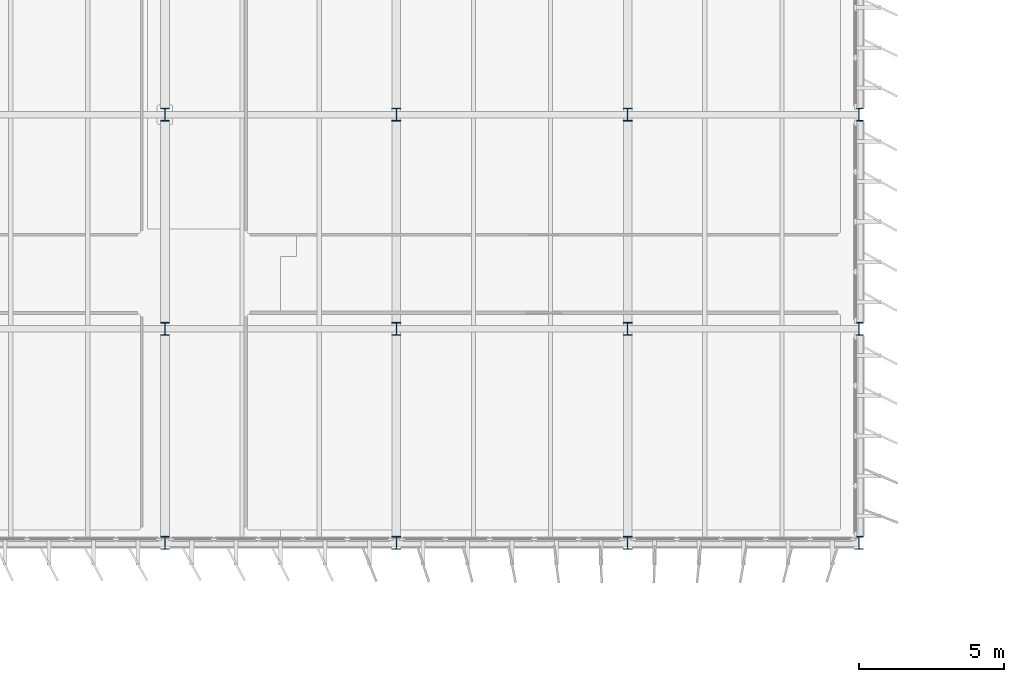
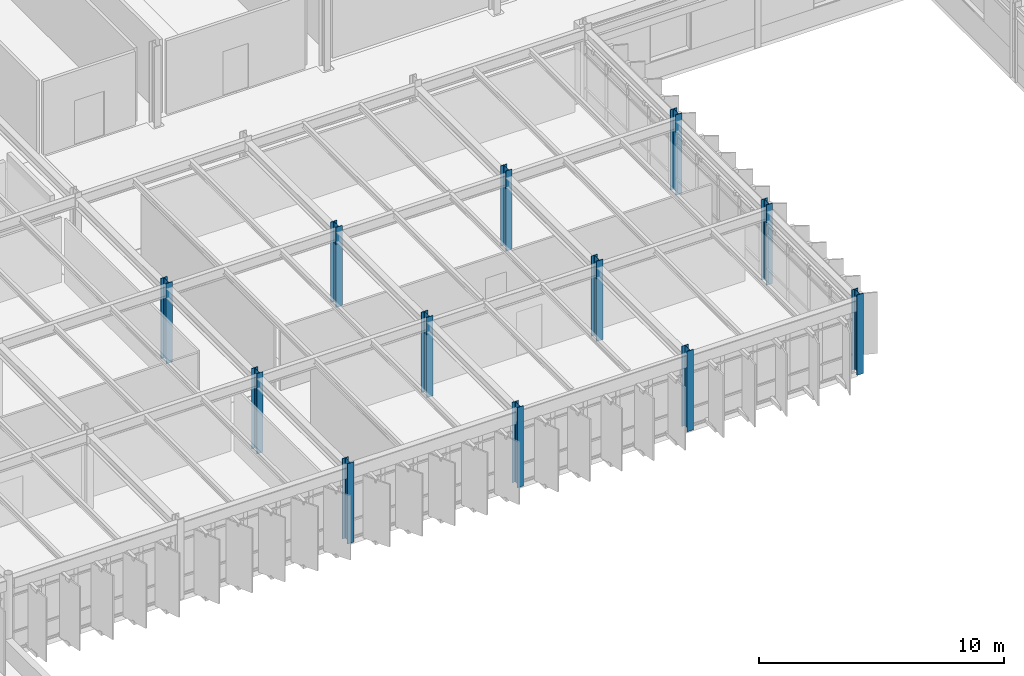
# One storey, part 5 of 56: 12 columns.
"""IFC4 building model written with IfcOpenShell, lengths in metres."""

from ifc_helpers import new_model, si_unit, direction, frame, origin, origin_2d, place, context, subcontext, project, spatial, i_section, extrude, material, material_profile, profile_set, type_object, element, save


model = new_model("IFC4")

# Units and contexts
model_context = context("Model", 3, precision=1e-05, world=origin(), true_north=direction((0.0, 1.0)))
body_context = subcontext(model_context, "Body", "Model", "MODEL_VIEW")
ifc_project = project(units=[si_unit("LENGTHUNIT", "METRE"), si_unit("AREAUNIT", "SQUARE_METRE"), si_unit("VOLUMEUNIT", "CUBIC_METRE"), si_unit("PLANEANGLEUNIT", "RADIAN"), si_unit("MASSUNIT", "GRAM", prefix="KILO")], contexts=[model_context])

# Site, building, storey
site_placement = place(None, origin())
site = spatial("IfcSite", under=ifc_project, at=site_placement, CompositionType="ELEMENT")
building_placement = place(site_placement, origin())
building = spatial("IfcBuilding", under=site, at=building_placement, Name="Valkorina Park Police Headquarters", CompositionType="ELEMENT")
storey_placement = place(building_placement, frame((0.0, 0.0, 14.10009765625)))
storey = spatial("IfcBuildingStorey", under=building, at=storey_placement, Name="L04", CompositionType="ELEMENT", Elevation=14.10009765625)

# Columns
ifc_material = material(Name="Steel S355", Category="steel")
ifc_material_profile_1 = material_profile(ifc_material, i_section(OverallWidth=0.300048828125, OverallDepth=0.449951171875, WebThickness=0.013916015625, FlangeThickness=0.02587890625, FilletRadius=0.027099609375, at=origin_2d()), Name="HEB 450")
ifc_profile_set_1 = profile_set([ifc_material_profile_1], Name="Steel S355")
column_type_1 = type_object("IfcColumnType", Name="COL-S355-HEB450-EXT", PredefinedType="COLUMN", material=ifc_profile_set_1)
for number, where, z_axis, x_axis, name in (
    (1, (96.800048828125, 37.0, 0.0), (0.0, 0.0, 1.0), (1.0, 0.0, 0.0), "L04 Column 0900"),
    (2, (104.800048828125, 37.0, 0.0), (0.0, 0.0, 1.0), (1.0, 0.0, 0.0), "L04 Column 0907"),
    (3, (112.800048828125, 37.0, 0.0), (0.0, 0.0, 1.0), (1.0, 0.0, 0.0), "L04 Column 0914"),
    (4, (120.800048828125, 37.0, 0.0), (0.0, 0.0, 1.0), (1.0, 0.0, 0.0), "L04 Column 0921"),
    (5, (120.800048828125, 44.39990234375, 0.0), (0.0, 0.0, 1.0), (1.0, 0.0, 0.0), "L04 Column 0922"),
    (6, (120.800048828125, 51.800048828125, 0.0), (0.0, 0.0, 1.0), (1.0, 0.0, 0.0), "L04 Column 0923"),
):
    element("IfcColumn", number, at=place(storey_placement, frame(where, z_axis=z_axis, x_axis=x_axis)), inside=storey, type_object=column_type_1, Name=name, PredefinedType="COLUMN", context=body_context, shape_type="SweptSolid", body=[
        extrude(i_section(OverallWidth=0.300048828125, OverallDepth=0.449951171875, WebThickness=0.013916015625, FlangeThickness=0.02587890625, FilletRadius=0.027099609375, at=origin_2d()), origin(), (0.0, 0.0, 1.0), 4.0),
    ])
ifc_material_profile_2 = material_profile(ifc_material, i_section(OverallWidth=0.300048828125, OverallDepth=0.449951171875, WebThickness=0.013916015625, FlangeThickness=0.02587890625, FilletRadius=0.027099609375, at=origin_2d()), Name="HEB 450")
ifc_profile_set_2 = profile_set([ifc_material_profile_2], Name="Steel S355")
column_type_2 = type_object("IfcColumnType", Name="COL-S355-HEB450-INT", PredefinedType="COLUMN", material=ifc_profile_set_2)
for number, where, z_axis, x_axis, name in (
    (7, (96.800048828125, 44.39990234375, 0.0), (0.0, 0.0, 1.0), (1.0, 0.0, 0.0), "L04 Column 0901"),
    (8, (96.800048828125, 51.800048828125, 0.0), (0.0, 0.0, 1.0), (1.0, 0.0, 0.0), "L04 Column 0902"),
    (9, (104.800048828125, 44.39990234375, 0.0), (0.0, 0.0, 1.0), (1.0, 0.0, 0.0), "L04 Column 0908"),
    (10, (104.800048828125, 51.800048828125, 0.0), (0.0, 0.0, 1.0), (1.0, 0.0, 0.0), "L04 Column 0909"),
    (11, (112.800048828125, 44.39990234375, 0.0), (0.0, 0.0, 1.0), (1.0, 0.0, 0.0), "L04 Column 0915"),
    (12, (112.800048828125, 51.800048828125, 0.0), (0.0, 0.0, 1.0), (1.0, 0.0, 0.0), "L04 Column 0916"),
):
    element("IfcColumn", number, at=place(storey_placement, frame(where, z_axis=z_axis, x_axis=x_axis)), inside=storey, type_object=column_type_2, Name=name, PredefinedType="COLUMN", context=body_context, shape_type="SweptSolid", body=[
        extrude(i_section(OverallWidth=0.300048828125, OverallDepth=0.449951171875, WebThickness=0.013916015625, FlangeThickness=0.02587890625, FilletRadius=0.027099609375, at=origin_2d()), origin(), (0.0, 0.0, 1.0), 4.0),
    ])

save(model, "model.ifc")
